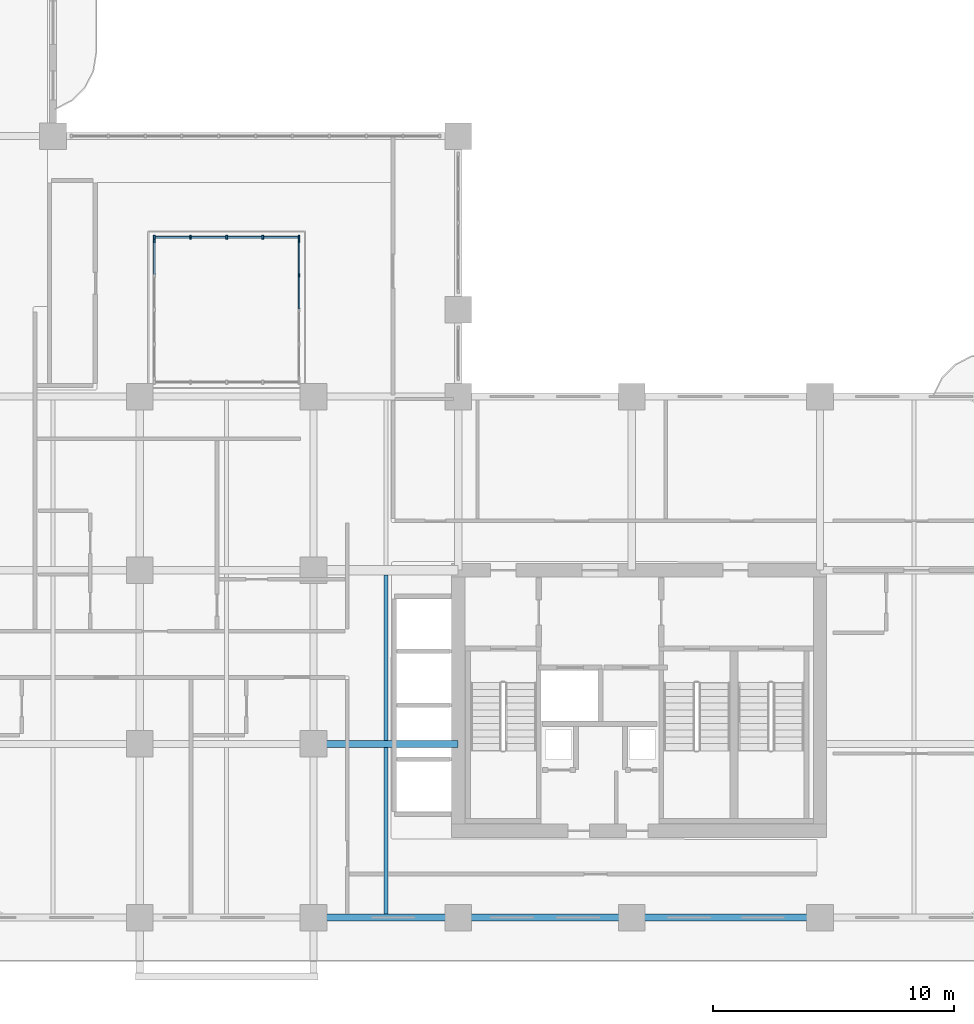
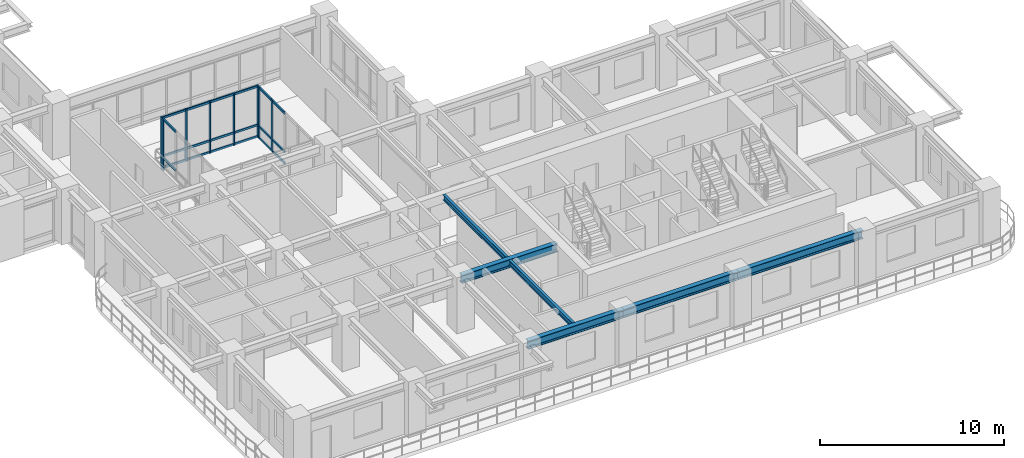
# One storey, part 3 of 22: 28 members, 6 beams, 3 elements without a shape of their own.
"""IFC4 building model written with IfcOpenShell, lengths in metres."""

import ifcopenshell
import ifcopenshell.guid

model = None  # the IFC model being written
_history = None  # IfcOwnerHistory: only IFC2X3 demands one
_inside = {}  # id of a spatial element -> (the spatial element, [elements in it])
_under = {}  # id of a project, library or spatial element -> (it, [spatial elements below it])
_declared = {}  # id of a project -> (the project, [libraries it declares])
_typed = {}  # id of a type object -> (the type object, [elements of that type])
_made_of = {}  # id of a material, layer set ... -> (it, [elements and type objects made of it])


def new_model(schema):
    """Start an empty IFC model of exactly this schema.

    Asked for "IFC4X3", IfcOpenShell would pick the latest addendum, in which some entities
    have other attributes; the version numbers below select the first issue.
    IFC2X3 requires an IfcOwnerHistory on every rooted entity: one is made here for all.
    """
    global model, _history
    if schema == "IFC4X3":
        model = ifcopenshell.file(schema_version=(4, 3, 0, 0))
    else:
        model = ifcopenshell.file(schema=schema)
    _inside.clear()
    _under.clear()
    _declared.clear()
    _typed.clear()
    _made_of.clear()
    _history = None
    if model.schema == "IFC2X3":
        org = make("IfcOrganization", Name="unknown")
        user = make(
            "IfcPersonAndOrganization",
            ThePerson=make("IfcPerson", FamilyName="unknown"),
            TheOrganization=org,
        )
        app = make(
            "IfcApplication",
            ApplicationDeveloper=org,
            Version="unknown",
            ApplicationFullName="unknown",
            ApplicationIdentifier="unknown",
        )
        _history = make(
            "IfcOwnerHistory",
            OwningUser=user,
            OwningApplication=app,
            ChangeAction="ADDED",
            CreationDate=0,
        )
    return model


def make(cls, **values):
    """One entity of the class cls with the attributes given. An attribute that is None is left unset."""
    return model.create_entity(
        cls, **{name: value for name, value in values.items() if value is not None}
    )


def rooted(cls, **values):
    """An entity with a GlobalId (a new one), such as an element, a storey or a relation."""
    return make(cls, GlobalId=ifcopenshell.guid.new(), OwnerHistory=_history, **values)


def si_unit(unit_type, name, prefix=None):
    """IfcSIUnit, for example si_unit("LENGTHUNIT", "METRE", prefix="MILLI")."""
    return make("IfcSIUnit", UnitType=unit_type, Prefix=prefix, Name=name)


def derived_unit(unit_type, elements):
    """IfcDerivedUnit: a product of units, each with its exponent."""
    return make(
        "IfcDerivedUnit",
        Elements=[
            make("IfcDerivedUnitElement", Unit=unit, Exponent=power)
            for unit, power in elements
        ],
        UnitType=unit_type,
    )


def assignment(units):
    """IfcUnitAssignment: the units of a project."""
    return None if units is None else make("IfcUnitAssignment", Units=units)


def point(xyz):
    """IfcCartesianPoint."""
    return None if xyz is None else make("IfcCartesianPoint", Coordinates=xyz)


def direction(xyz):
    """IfcDirection."""
    return None if xyz is None else make("IfcDirection", DirectionRatios=xyz)


def frame(location, z_axis=None, x_axis=None):
    """IfcAxis2Placement3D, a coordinate frame: its origin and axes. An axis left out is left unset."""
    return make(
        "IfcAxis2Placement3D",
        Location=point(location),
        Axis=direction(z_axis),
        RefDirection=direction(x_axis),
    )


def frame_2d(location, x_axis=None):
    """IfcAxis2Placement2D, a coordinate frame in the plane: its origin and x axis."""
    return make(
        "IfcAxis2Placement2D", Location=point(location), RefDirection=direction(x_axis)
    )


def origin():
    """The frame at (0, 0, 0) with its axes left unset."""
    return frame((0.0, 0.0, 0.0))


def origin_2d():
    """The frame at (0, 0) in the plane with its x axis left unset."""
    return frame_2d((0.0, 0.0))


def place(relative_to, where):
    """IfcLocalPlacement: puts the frame where relative to a parent placement (None: the world)."""
    return make(
        "IfcLocalPlacement", PlacementRelTo=relative_to, RelativePlacement=where
    )


def context(
    kind, dimensions, precision=None, world=None, true_north=None, identifier=None
):
    """IfcGeometricRepresentationContext, for example the 3D "Model" context."""
    return make(
        "IfcGeometricRepresentationContext",
        ContextIdentifier=identifier,
        ContextType=kind,
        CoordinateSpaceDimension=dimensions,
        Precision=precision,
        WorldCoordinateSystem=world,
        TrueNorth=true_north,
    )


def subcontext(parent, identifier, kind, view, scale=None):
    """IfcGeometricRepresentationSubContext, for example "Body" below "Model"."""
    return make(
        "IfcGeometricRepresentationSubContext",
        ContextIdentifier=identifier,
        ContextType=kind,
        ParentContext=parent,
        TargetScale=scale,
        TargetView=view,
    )


def project(units=None, contexts=None):
    """IfcProject with its units and contexts."""
    return rooted(
        "IfcProject",
        Name="project",
        RepresentationContexts=contexts,
        UnitsInContext=assignment(units),
    )


def spatial(cls, under=None, at=None, **own):
    """A site, building, storey or space (cls), placed at a placement, below another one or the project."""
    s = rooted(cls, ObjectPlacement=at, **own)
    if under is not None:
        _under.setdefault(under.id(), (under, []))[1].append(s)
    return s


def profile(cls, at=None, kind="AREA", **sizes):
    """A parametric profile (cls). Its sizes go by their IFC names, for example OverallWidth=200.0."""
    return make(cls, ProfileType=kind, Position=at, **sizes)


def rectangle(**sizes):
    """IfcRectangleProfileDef."""
    return profile("IfcRectangleProfileDef", **sizes)


def i_section(**sizes):
    """IfcIShapeProfileDef."""
    return profile("IfcIShapeProfileDef", **sizes)


def extrude(swept, where, along, depth):
    """IfcExtrudedAreaSolid: the profile swept, set in the frame where, extruded along a direction by depth."""
    return make(
        "IfcExtrudedAreaSolid",
        SweptArea=swept,
        Position=where,
        ExtrudedDirection=direction(along),
        Depth=depth,
    )


def shape(context_of_items, identifier, shape_type, items):
    """IfcShapeRepresentation: the items that make up one representation, for example the "Body"."""
    return make(
        "IfcShapeRepresentation",
        ContextOfItems=context_of_items,
        RepresentationIdentifier=identifier,
        RepresentationType=shape_type,
        Items=items,
    )


def source(mapping_origin, context_of_items, identifier, shape_type, items):
    """IfcRepresentationMap: a shape defined once, which mapped items show again and again."""
    return make(
        "IfcRepresentationMap",
        MappingOrigin=mapping_origin,
        MappedRepresentation=shape(context_of_items, identifier, shape_type, items),
    )


def transform(
    local_origin,
    x_axis=None,
    y_axis=None,
    z_axis=None,
    scale=None,
    scale2=None,
    scale3=None,
    uniform=True,
):
    """IfcCartesianTransformationOperator3D, or its non-uniform kind. x_axis, y_axis, z_axis: its Axis1, 2, 3."""
    if uniform:
        return make(
            "IfcCartesianTransformationOperator3D",
            Axis1=direction(x_axis),
            Axis2=direction(y_axis),
            LocalOrigin=point(local_origin),
            Scale=scale,
            Axis3=direction(z_axis),
        )
    return make(
        "IfcCartesianTransformationOperator3DnonUniform",
        Axis1=direction(x_axis),
        Axis2=direction(y_axis),
        LocalOrigin=point(local_origin),
        Scale=scale,
        Axis3=direction(z_axis),
        Scale2=scale2,
        Scale3=scale3,
    )


def mapped(mapping_source, mapping_target):
    """IfcMappedItem: shows the shape of a source again, moved by a transform."""
    return make(
        "IfcMappedItem", MappingSource=mapping_source, MappingTarget=mapping_target
    )


def material(Name=None, Category=None):
    """IfcMaterial."""
    return make("IfcMaterial", Name=Name, Category=Category)


def layer(
    of_material, thickness, ventilated=None, Name=None, Category=None, Priority=None
):
    """IfcMaterialLayer: one layer of a wall or slab, of a material (None: an air gap)."""
    return make(
        "IfcMaterialLayer",
        Material=of_material,
        LayerThickness=thickness,
        IsVentilated=ventilated,
        Name=Name,
        Category=Category,
        Priority=Priority,
    )


def layer_set(layers, Name=None):
    """IfcMaterialLayerSet."""
    return make("IfcMaterialLayerSet", MaterialLayers=layers, LayerSetName=Name)


def material_profile(
    of_material, cross_section, Name=None, Category=None, Priority=None
):
    """IfcMaterialProfile: a cross section and its material."""
    return make(
        "IfcMaterialProfile",
        Name=Name,
        Material=of_material,
        Profile=cross_section,
        Priority=Priority,
        Category=Category,
    )


def profile_set(profiles, Name=None, composite=None):
    """IfcMaterialProfileSet."""
    return make(
        "IfcMaterialProfileSet",
        Name=Name,
        MaterialProfiles=profiles,
        CompositeProfile=composite,
    )


def made_of(thing, what):
    """Note that an element or type object is made of a material, layer set ...; save() writes the relation."""
    if what is not None:
        _made_of.setdefault(what.id(), (what, []))[1].append(thing)
    return thing


def type_object(cls, material=None, **own):
    """A type object (cls), such as IfcWallType, which elements share."""
    return made_of(rooted(cls, **own), material)


def type_shapes(of_type, sources):
    """Give a type object the sources (RepresentationMaps) that its elements show as mapped items."""
    of_type.RepresentationMaps = sources


def element(
    cls,
    number,
    at=None,
    inside=None,
    cuts=None,
    type_object=None,
    material=None,
    context=None,
    identifier="Body",
    shape_type=None,
    held_by="IfcProductDefinitionShape",
    body=None,
    shapes=None,
    **own,
):
    """One element of the class cls, such as IfcWall. Its Tag is "e" and its number.

    at: its placement. inside: the storey or other place that contains it. cuts: it is an
    opening in that element (IfcRelVoidsElement). A single representation is given by context,
    identifier, shape_type and body (its items); several are given by shapes. held_by: the class
    of the entity that holds the representations. save() writes the other relations.
    """
    e = rooted(cls, Tag="e%d" % number, ObjectPlacement=at, **own)
    if body is not None:
        shapes = [shape(context, identifier, shape_type, body)]
    if shapes is not None:
        e.Representation = make(held_by, Representations=shapes)
    if inside is not None:
        _inside.setdefault(inside.id(), (inside, []))[1].append(e)
    if cuts is not None:
        rooted(
            "IfcRelVoidsElement", RelatingBuildingElement=cuts, RelatedOpeningElement=e
        )
    if type_object is not None:
        _typed.setdefault(type_object.id(), (type_object, []))[1].append(e)
    return made_of(e, material)


def aggregate(whole, parts):
    """IfcRelAggregates: a whole, such as a stair, and the parts it consists of."""
    return rooted("IfcRelAggregates", RelatingObject=whole, RelatedObjects=parts)


def save(model, path):
    """Write the relations noted so far, then the file.

    IfcRelAggregates (storeys below a building ...), IfcRelContainedInSpatialStructure (elements
    in a storey), IfcRelDefinesByType, IfcRelAssociatesMaterial and IfcRelDeclares: one each for
    every whole, place, type object, material and project.
    """
    for whole, parts in _under.values():
        aggregate(whole, parts)
    for where, things in _inside.values():
        rooted(
            "IfcRelContainedInSpatialStructure",
            RelatedElements=things,
            RelatingStructure=where,
        )
    for kind, things in _typed.values():
        rooted("IfcRelDefinesByType", RelatedObjects=things, RelatingType=kind)
    for what, things in _made_of.values():
        rooted("IfcRelAssociatesMaterial", RelatedObjects=things, RelatingMaterial=what)
    for by, libraries in _declared.values():
        rooted("IfcRelDeclares", RelatingContext=by, RelatedDefinitions=libraries)
    model.write(path)


model = new_model("IFC4")

# Units and contexts
model_context = context("Model", 3, precision=1e-05, world=origin(), true_north=direction((0.0, 1.0)))
body_context = subcontext(model_context, "Body", "Model", "MODEL_VIEW")
ifc_project = project(units=[si_unit("LENGTHUNIT", "METRE"), si_unit("AREAUNIT", "SQUARE_METRE"), si_unit("VOLUMEUNIT", "CUBIC_METRE"), si_unit("PLANEANGLEUNIT", "RADIAN"), si_unit("MASSUNIT", "GRAM", prefix="KILO"), si_unit("THERMODYNAMICTEMPERATUREUNIT", "KELVIN"), si_unit("POWERUNIT", "WATT"), derived_unit("THERMALTRANSMITTANCEUNIT", [(si_unit("POWERUNIT", "WATT"), 1), (si_unit("AREAUNIT", "SQUARE_METRE"), -1), (si_unit("THERMODYNAMICTEMPERATUREUNIT", "KELVIN"), -1)])], contexts=[model_context])

# Site, building, storey
site_placement = place(None, origin())
site = spatial("IfcSite", under=ifc_project, at=site_placement, CompositionType="ELEMENT")
building_placement = place(site_placement, origin())
building = spatial("IfcBuilding", under=site, at=building_placement, Name="Zahravan Archway Hotel and Residences", CompositionType="ELEMENT")
storey_placement = place(building_placement, frame((0.0, 0.0, 87.89990234375)))
storey = spatial("IfcBuildingStorey", under=building, at=storey_placement, Name="L21", CompositionType="ELEMENT", Elevation=87.89990234375)

# Beams
ifc_material_1 = material(Name="Structural Steel S355JR", Category="steel")
ifc_material_profile_1 = material_profile(ifc_material_1, i_section(OverallWidth=0.300048828125, OverallDepth=0.550048828125, WebThickness=0.014892578125, FlangeThickness=0.029052734375, FilletRadius=0.027099609375, at=origin_2d()), Name="HEB 550", Category="steel")
ifc_profile_set_1 = profile_set([ifc_material_profile_1], Name="Structural Steel S355JR")
beam_type_1 = type_object("IfcBeamType", Name="BM-PRI-HEB550", PredefinedType="BEAM", material=ifc_profile_set_1)
shared_shape_1 = source(origin(), body_context, "Body", "SweptSolid", [
    extrude(i_section(OverallWidth=0.300048828125, OverallDepth=0.550048828125, WebThickness=0.014892578125, FlangeThickness=0.029052734375, FilletRadius=0.027099609375, at=origin_2d()), origin(), (0.0, 0.0, 1.0), 7.199951171875),
])
beam_1_placement = place(storey_placement, frame((34.800048828125, 0.0, 3.175048828125), z_axis=(1.0, 0.0, 0.0), x_axis=(0.0, 1.0, 0.0)))
element("IfcBeam", 1, at=beam_1_placement, inside=storey, type_object=beam_type_1, Name="L21 Primary Girder EW-04", PredefinedType="BEAM", context=body_context, shape_type="MappedRepresentation", body=[
    mapped(shared_shape_1, transform((0.0, 0.0, 0.0), scale=1.0)),
])
shared_shape_2 = source(origin(), body_context, "Body", "SweptSolid", [
    extrude(i_section(OverallWidth=0.300048828125, OverallDepth=0.550048828125, WebThickness=0.014892578125, FlangeThickness=0.029052734375, FilletRadius=0.027099609375, at=origin_2d()), origin(), (0.0, 0.0, 1.0), 6.0),
])
for number, where, z_axis, x_axis, name in (
    (2, (28.800048828125, 0.0, 3.175048828125), (1.0, 0.0, 0.0), (0.0, 1.0, 0.0), "L21 Primary Girder EW-03"),
    (3, (28.800048828125, 7.199951171875, 3.175048828125), (1.0, 0.0, 0.0), (0.0, 1.0, 0.0), "L21 Primary Girder EW-09"),
):
    element("IfcBeam", number, at=place(storey_placement, frame(where, z_axis=z_axis, x_axis=x_axis)), inside=storey, type_object=beam_type_1, Name=name, PredefinedType="BEAM", context=body_context, shape_type="MappedRepresentation", body=[
        mapped(shared_shape_2, transform((0.0, 0.0, 0.0), scale=1.0)),
    ])
shared_shape_3 = source(origin(), body_context, "Body", "SweptSolid", [
    extrude(i_section(OverallWidth=0.300048828125, OverallDepth=0.550048828125, WebThickness=0.014892578125, FlangeThickness=0.029052734375, FilletRadius=0.027099609375, at=origin_2d()), origin(), (0.0, 0.0, 1.0), 7.800048828125),
])
beam_2_placement = place(storey_placement, frame((42.0, 0.0, 3.175048828125), z_axis=(1.0, 0.0, 0.0), x_axis=(0.0, 1.0, 0.0)))
element("IfcBeam", 4, at=beam_2_placement, inside=storey, type_object=beam_type_1, Name="L21 Primary Girder EW-05", PredefinedType="BEAM", context=body_context, shape_type="MappedRepresentation", body=[
    mapped(shared_shape_3, transform((0.0, 0.0, 0.0), scale=1.0)),
])
ifc_material_profile_2 = material_profile(ifc_material_1, i_section(OverallWidth=0.169921875, OverallDepth=0.360107421875, WebThickness=0.008056640625, FlangeThickness=0.0126953125, FilletRadius=0.01806640625, at=origin_2d()), Name="IPE 360", Category="steel")
ifc_profile_set_2 = profile_set([ifc_material_profile_2], Name="Structural Steel S355JR")
beam_type_2 = type_object("IfcBeamType", Name="BM-JST-IPE360", PredefinedType="JOIST", material=ifc_profile_set_2)
shared_shape_4 = source(origin(), body_context, "Body", "SweptSolid", [
    extrude(i_section(OverallWidth=0.169921875, OverallDepth=0.360107421875, WebThickness=0.008056640625, FlangeThickness=0.0126953125, FilletRadius=0.01806640625, at=origin_2d()), origin(), (0.0, 0.0, 1.0), 6.904052734375),
])
type_shapes(beam_type_2, [shared_shape_4])
beam_3_placement = place(storey_placement, frame((31.800048828125, 0.14794921875, 3.27001953125), z_axis=(0.0, 1.0, 0.0), x_axis=(-1.0, 0.0, 0.0)))
element("IfcBeam", 5, at=beam_3_placement, inside=storey, type_object=beam_type_2, Name="L21 Composite Floor Joist 03", PredefinedType="JOIST", context=body_context, shape_type="MappedRepresentation", body=[
    mapped(shared_shape_4, transform((0.0, 0.0, 0.0), scale=1.0)),
])
shared_shape_5 = source(origin(), body_context, "Body", "SweptSolid", [
    extrude(i_section(OverallWidth=0.169921875, OverallDepth=0.360107421875, WebThickness=0.008056640625, FlangeThickness=0.0126953125, FilletRadius=0.01806640625, at=origin_2d()), origin(), (0.0, 0.0, 1.0), 6.85400390625),
])
beam_4_placement = place(storey_placement, frame((31.800048828125, 7.347900390625, 3.27001953125), z_axis=(0.0, 1.0, 0.0), x_axis=(-1.0, 0.0, 0.0)))
element("IfcBeam", 6, at=beam_4_placement, inside=storey, type_object=beam_type_2, Name="L21 Composite Floor Joist 07", PredefinedType="JOIST", context=body_context, shape_type="MappedRepresentation", body=[
    mapped(shared_shape_5, transform((0.0, 0.0, 0.0), scale=1.0)),
])

# Curtain wall, members
ifc_material_2 = material(Name="Bronze-Anodized Unitised Aluminium & Low-E Glass", Category="aluminium")
ifc_layer = layer(ifc_material_2, 0.179931640625, Name="Bronze-Anodized Unitised Aluminium & Low-E Glass", Category="aluminium")
ifc_layer_set = layer_set([ifc_layer], Name="Bronze-Anodized Unitised Aluminium & Low-E Glass")
curtain_wall_type = type_object("IfcCurtainWallType", Name="CW-ATR-GLAZ", PredefinedType="NOTDEFINED", material=ifc_layer_set)
curtain_wall_1_placement = place(storey_placement, origin())
curtain_wall_1 = element("IfcCurtainWall", 7, at=curtain_wall_1_placement, inside=storey, type_object=curtain_wall_type, Name="L21 Curtain Wall CW-ATR-L21-N-1", PredefinedType="NOTDEFINED")
ifc_material_3 = material(Name="Bronze-Anodized Extruded Aluminium", Category="aluminium")
ifc_material_profile_3 = material_profile(ifc_material_3, rectangle(XDim=0.080078125, YDim=0.139892578125, at=origin_2d()), Name="TRN 80x140", Category="aluminium")
ifc_profile_set_3 = profile_set([ifc_material_profile_3], Name="Bronze-Anodized Extruded Aluminium")
member_type_1 = type_object("IfcMemberType", Name="CWM-TRN-140", PredefinedType="USERDEFINED", material=ifc_profile_set_3)
shared_shape_6 = source(origin(), body_context, "Body", "SweptSolid", [
    extrude(rectangle(XDim=0.080078125, YDim=0.139892578125, at=origin_2d()), origin(), (0.0, 0.0, 1.0), 1.419921875),
])
member_1_placement = place(storey_placement, frame((22.239990234375, 28.199951171875, 0.070068359375), z_axis=(1.0, 0.0, 0.0), x_axis=(0.0, 1.0, 0.0)))
member_1 = element("IfcMember", 8, at=member_1_placement, type_object=member_type_1, Name="CW-ATR-L21-N-1 Transom 0-1", ObjectType="TRANSOM", PredefinedType="USERDEFINED", context=body_context, shape_type="MappedRepresentation", body=[
    mapped(shared_shape_6, transform((0.0, 0.0, 0.0), scale=1.0)),
])
member_2_placement = place(storey_placement, frame((22.239990234375, 28.199951171875, 0.828125), z_axis=(1.0, 0.0, 0.0), x_axis=(0.0, 1.0, 0.0)))
member_2 = element("IfcMember", 9, at=member_2_placement, type_object=member_type_1, Name="CW-ATR-L21-N-1 Transom 0-2", ObjectType="TRANSOM", PredefinedType="USERDEFINED", context=body_context, shape_type="MappedRepresentation", body=[
    mapped(shared_shape_6, transform((0.0, 0.0, 0.0), scale=1.0)),
])
member_3_placement = place(storey_placement, frame((22.239990234375, 28.199951171875, 3.380126953125), z_axis=(1.0, 0.0, 0.0), x_axis=(0.0, 1.0, 0.0)))
member_3 = element("IfcMember", 10, at=member_3_placement, type_object=member_type_1, Name="CW-ATR-L21-N-1 Transom 0-3", ObjectType="TRANSOM", PredefinedType="USERDEFINED", context=body_context, shape_type="MappedRepresentation", body=[
    mapped(shared_shape_6, transform((0.0, 0.0, 0.0), scale=1.0)),
])
member_4_placement = place(storey_placement, frame((23.739990234375, 28.199951171875, 0.070068359375), z_axis=(1.0, 0.0, 0.0), x_axis=(0.0, 1.0, 0.0)))
member_4 = element("IfcMember", 11, at=member_4_placement, type_object=member_type_1, Name="CW-ATR-L21-N-1 Transom 1-1", ObjectType="TRANSOM", PredefinedType="USERDEFINED", context=body_context, shape_type="MappedRepresentation", body=[
    mapped(shared_shape_6, transform((0.0, 0.0, 0.0), scale=1.0)),
])
member_5_placement = place(storey_placement, frame((23.739990234375, 28.199951171875, 0.828125), z_axis=(1.0, 0.0, 0.0), x_axis=(0.0, 1.0, 0.0)))
member_5 = element("IfcMember", 12, at=member_5_placement, type_object=member_type_1, Name="CW-ATR-L21-N-1 Transom 1-2", ObjectType="TRANSOM", PredefinedType="USERDEFINED", context=body_context, shape_type="MappedRepresentation", body=[
    mapped(shared_shape_6, transform((0.0, 0.0, 0.0), scale=1.0)),
])
member_6_placement = place(storey_placement, frame((23.739990234375, 28.199951171875, 3.380126953125), z_axis=(1.0, 0.0, 0.0), x_axis=(0.0, 1.0, 0.0)))
member_6 = element("IfcMember", 13, at=member_6_placement, type_object=member_type_1, Name="CW-ATR-L21-N-1 Transom 1-3", ObjectType="TRANSOM", PredefinedType="USERDEFINED", context=body_context, shape_type="MappedRepresentation", body=[
    mapped(shared_shape_6, transform((0.0, 0.0, 0.0), scale=1.0)),
])
member_7_placement = place(storey_placement, frame((25.239990234375, 28.199951171875, 0.070068359375), z_axis=(1.0, 0.0, 0.0), x_axis=(0.0, 1.0, 0.0)))
member_7 = element("IfcMember", 14, at=member_7_placement, type_object=member_type_1, Name="CW-ATR-L21-N-1 Transom 2-1", ObjectType="TRANSOM", PredefinedType="USERDEFINED", context=body_context, shape_type="MappedRepresentation", body=[
    mapped(shared_shape_6, transform((0.0, 0.0, 0.0), scale=1.0)),
])
member_8_placement = place(storey_placement, frame((25.239990234375, 28.199951171875, 0.828125), z_axis=(1.0, 0.0, 0.0), x_axis=(0.0, 1.0, 0.0)))
member_8 = element("IfcMember", 15, at=member_8_placement, type_object=member_type_1, Name="CW-ATR-L21-N-1 Transom 2-2", ObjectType="TRANSOM", PredefinedType="USERDEFINED", context=body_context, shape_type="MappedRepresentation", body=[
    mapped(shared_shape_6, transform((0.0, 0.0, 0.0), scale=1.0)),
])
member_9_placement = place(storey_placement, frame((25.239990234375, 28.199951171875, 3.380126953125), z_axis=(1.0, 0.0, 0.0), x_axis=(0.0, 1.0, 0.0)))
member_9 = element("IfcMember", 16, at=member_9_placement, type_object=member_type_1, Name="CW-ATR-L21-N-1 Transom 2-3", ObjectType="TRANSOM", PredefinedType="USERDEFINED", context=body_context, shape_type="MappedRepresentation", body=[
    mapped(shared_shape_6, transform((0.0, 0.0, 0.0), scale=1.0)),
])
member_10_placement = place(storey_placement, frame((26.739990234375, 28.199951171875, 0.070068359375), z_axis=(1.0, 0.0, 0.0), x_axis=(0.0, 1.0, 0.0)))
member_10 = element("IfcMember", 17, at=member_10_placement, type_object=member_type_1, Name="CW-ATR-L21-N-1 Transom 3-1", ObjectType="TRANSOM", PredefinedType="USERDEFINED", context=body_context, shape_type="MappedRepresentation", body=[
    mapped(shared_shape_6, transform((0.0, 0.0, 0.0), scale=1.0)),
])
member_11_placement = place(storey_placement, frame((26.739990234375, 28.199951171875, 0.828125), z_axis=(1.0, 0.0, 0.0), x_axis=(0.0, 1.0, 0.0)))
member_11 = element("IfcMember", 18, at=member_11_placement, type_object=member_type_1, Name="CW-ATR-L21-N-1 Transom 3-2", ObjectType="TRANSOM", PredefinedType="USERDEFINED", context=body_context, shape_type="MappedRepresentation", body=[
    mapped(shared_shape_6, transform((0.0, 0.0, 0.0), scale=1.0)),
])
member_12_placement = place(storey_placement, frame((26.739990234375, 28.199951171875, 3.380126953125), z_axis=(1.0, 0.0, 0.0), x_axis=(0.0, 1.0, 0.0)))
member_12 = element("IfcMember", 19, at=member_12_placement, type_object=member_type_1, Name="CW-ATR-L21-N-1 Transom 3-3", ObjectType="TRANSOM", PredefinedType="USERDEFINED", context=body_context, shape_type="MappedRepresentation", body=[
    mapped(shared_shape_6, transform((0.0, 0.0, 0.0), scale=1.0)),
])

curtain_wall_2_placement = place(storey_placement, origin())
curtain_wall_2 = element("IfcCurtainWall", 20, at=curtain_wall_2_placement, inside=storey, type_object=curtain_wall_type, Name="L21 Curtain Wall CW-ATR-L21-W-1", PredefinedType="NOTDEFINED")
shared_shape_7 = source(origin(), body_context, "Body", "SweptSolid", [
    extrude(rectangle(XDim=0.080078125, YDim=0.139892578125, at=origin_2d()), origin(), (0.0, 0.0, 1.0), 1.344970703125),
])
member_13_placement = place(storey_placement, frame((22.199951171875, 26.6650390625, 0.828125), z_axis=(0.0, 1.0, 0.0), x_axis=(-1.0, 0.0, 0.0)))
member_13 = element("IfcMember", 21, at=member_13_placement, type_object=member_type_1, Name="CW-ATR-L21-W-1 Transom 3-2", ObjectType="TRANSOM", PredefinedType="USERDEFINED", context=body_context, shape_type="MappedRepresentation", body=[
    mapped(shared_shape_7, transform((0.0, 0.0, 0.0), scale=1.0)),
])
member_14_placement = place(storey_placement, frame((22.199951171875, 26.6650390625, 3.380126953125), z_axis=(0.0, 1.0, 0.0), x_axis=(-1.0, 0.0, 0.0)))
member_14 = element("IfcMember", 22, at=member_14_placement, type_object=member_type_1, Name="CW-ATR-L21-W-1 Transom 3-3", ObjectType="TRANSOM", PredefinedType="USERDEFINED", context=body_context, shape_type="MappedRepresentation", body=[
    mapped(shared_shape_7, transform((0.0, 0.0, 0.0), scale=1.0)),
])

curtain_wall_3_placement = place(storey_placement, origin())
curtain_wall_3 = element("IfcCurtainWall", 23, at=curtain_wall_3_placement, inside=storey, type_object=curtain_wall_type, Name="L21 Curtain Wall CW-ATR-L21-E-1", PredefinedType="NOTDEFINED")
member_15_placement = place(storey_placement, frame((28.199951171875, 25.239990234375, 0.070068359375), z_axis=(0.0, 1.0, 0.0), x_axis=(-1.0, 0.0, 0.0)))
member_15 = element("IfcMember", 24, at=member_15_placement, type_object=member_type_1, Name="CW-ATR-L21-E-1 Transom 2-1", ObjectType="TRANSOM", PredefinedType="USERDEFINED", context=body_context, shape_type="MappedRepresentation", body=[
    mapped(shared_shape_7, transform((0.0, 0.0, 0.0), scale=1.0)),
])
member_16_placement = place(storey_placement, frame((28.199951171875, 25.239990234375, 0.828125), z_axis=(0.0, 1.0, 0.0), x_axis=(-1.0, 0.0, 0.0)))
member_16 = element("IfcMember", 25, at=member_16_placement, type_object=member_type_1, Name="CW-ATR-L21-E-1 Transom 2-2", ObjectType="TRANSOM", PredefinedType="USERDEFINED", context=body_context, shape_type="MappedRepresentation", body=[
    mapped(shared_shape_7, transform((0.0, 0.0, 0.0), scale=1.0)),
])
member_17_placement = place(storey_placement, frame((28.199951171875, 25.239990234375, 3.380126953125), z_axis=(0.0, 1.0, 0.0), x_axis=(-1.0, 0.0, 0.0)))
member_17 = element("IfcMember", 26, at=member_17_placement, type_object=member_type_1, Name="CW-ATR-L21-E-1 Transom 2-3", ObjectType="TRANSOM", PredefinedType="USERDEFINED", context=body_context, shape_type="MappedRepresentation", body=[
    mapped(shared_shape_7, transform((0.0, 0.0, 0.0), scale=1.0)),
])
member_18_placement = place(storey_placement, frame((28.199951171875, 26.6650390625, 0.070068359375), z_axis=(0.0, 1.0, 0.0), x_axis=(-1.0, 0.0, 0.0)))
member_18 = element("IfcMember", 27, at=member_18_placement, type_object=member_type_1, Name="CW-ATR-L21-E-1 Transom 3-1", ObjectType="TRANSOM", PredefinedType="USERDEFINED", context=body_context, shape_type="MappedRepresentation", body=[
    mapped(shared_shape_7, transform((0.0, 0.0, 0.0), scale=1.0)),
])
member_19_placement = place(storey_placement, frame((28.199951171875, 26.6650390625, 0.828125), z_axis=(0.0, 1.0, 0.0), x_axis=(-1.0, 0.0, 0.0)))
member_19 = element("IfcMember", 28, at=member_19_placement, type_object=member_type_1, Name="CW-ATR-L21-E-1 Transom 3-2", ObjectType="TRANSOM", PredefinedType="USERDEFINED", context=body_context, shape_type="MappedRepresentation", body=[
    mapped(shared_shape_7, transform((0.0, 0.0, 0.0), scale=1.0)),
])
member_20_placement = place(storey_placement, frame((28.199951171875, 26.6650390625, 3.380126953125), z_axis=(0.0, 1.0, 0.0), x_axis=(-1.0, 0.0, 0.0)))
member_20 = element("IfcMember", 29, at=member_20_placement, type_object=member_type_1, Name="CW-ATR-L21-E-1 Transom 3-3", ObjectType="TRANSOM", PredefinedType="USERDEFINED", context=body_context, shape_type="MappedRepresentation", body=[
    mapped(shared_shape_7, transform((0.0, 0.0, 0.0), scale=1.0)),
])

# Member
ifc_material_profile_4 = material_profile(ifc_material_3, rectangle(XDim=0.080078125, YDim=0.159912109375, at=origin_2d()), Name="MUL 80x160", Category="aluminium")
ifc_profile_set_4 = profile_set([ifc_material_profile_4], Name="Bronze-Anodized Extruded Aluminium")
member_type_2 = type_object("IfcMemberType", Name="CWM-MUL-160", PredefinedType="MULLION", material=ifc_profile_set_4)
shared_shape_8 = source(origin(), body_context, "Body", "SweptSolid", [
    extrude(rectangle(XDim=0.080078125, YDim=0.159912109375, at=origin_2d()), origin(), (0.0, 0.0, 1.0), 3.4501953125),
])
member_21_placement = place(storey_placement, frame((22.199951171875, 28.199951171875, 0.0), z_axis=(0.0, 0.0, 1.0), x_axis=(1.0, 0.0, 0.0)))
member_21 = element("IfcMember", 30, at=member_21_placement, type_object=member_type_2, Name="CW-ATR-L21-N-1 Mullion 0", PredefinedType="MULLION", context=body_context, shape_type="MappedRepresentation", body=[
    mapped(shared_shape_8, transform((0.0, 0.0, 0.0), scale=1.0)),
])

member_22_placement = place(storey_placement, frame((23.699951171875, 28.199951171875, 0.0), z_axis=(0.0, 0.0, 1.0), x_axis=(1.0, 0.0, 0.0)))
member_22 = element("IfcMember", 31, at=member_22_placement, type_object=member_type_2, Name="CW-ATR-L21-N-1 Mullion 1", PredefinedType="MULLION", context=body_context, shape_type="MappedRepresentation", body=[
    mapped(shared_shape_8, transform((0.0, 0.0, 0.0), scale=1.0)),
])

member_23_placement = place(storey_placement, frame((25.199951171875, 28.199951171875, 0.0), z_axis=(0.0, 0.0, 1.0), x_axis=(1.0, 0.0, 0.0)))
member_23 = element("IfcMember", 32, at=member_23_placement, type_object=member_type_2, Name="CW-ATR-L21-N-1 Mullion 2", PredefinedType="MULLION", context=body_context, shape_type="MappedRepresentation", body=[
    mapped(shared_shape_8, transform((0.0, 0.0, 0.0), scale=1.0)),
])

member_24_placement = place(storey_placement, frame((26.699951171875, 28.199951171875, 0.0), z_axis=(0.0, 0.0, 1.0), x_axis=(1.0, 0.0, 0.0)))
member_24 = element("IfcMember", 33, at=member_24_placement, type_object=member_type_2, Name="CW-ATR-L21-N-1 Mullion 3", PredefinedType="MULLION", context=body_context, shape_type="MappedRepresentation", body=[
    mapped(shared_shape_8, transform((0.0, 0.0, 0.0), scale=1.0)),
])

member_25_placement = place(storey_placement, frame((28.199951171875, 28.199951171875, 0.0), z_axis=(0.0, 0.0, 1.0), x_axis=(1.0, 0.0, 0.0)))
member_25 = element("IfcMember", 34, at=member_25_placement, type_object=member_type_2, Name="CW-ATR-L21-N-1 Mullion 4", PredefinedType="MULLION", context=body_context, shape_type="MappedRepresentation", body=[
    mapped(shared_shape_8, transform((0.0, 0.0, 0.0), scale=1.0)),
])

aggregate(curtain_wall_1, [member_21, member_22, member_23, member_24, member_25, member_1, member_2, member_3, member_4, member_5, member_6, member_7, member_8, member_9, member_10, member_11, member_12])

member_26_placement = place(storey_placement, frame((22.199951171875, 28.050048828125, 0.0), z_axis=(0.0, 0.0, 1.0), x_axis=(1.0, 0.0, 0.0)))
member_26 = element("IfcMember", 35, at=member_26_placement, type_object=member_type_2, Name="CW-ATR-L21-W-1 Mullion 4", PredefinedType="MULLION", context=body_context, shape_type="MappedRepresentation", body=[
    mapped(shared_shape_8, transform((0.0, 0.0, 0.0), scale=1.0)),
])

aggregate(curtain_wall_2, [member_26, member_13, member_14])

member_27_placement = place(storey_placement, frame((28.199951171875, 26.625, 0.0), z_axis=(0.0, 0.0, 1.0), x_axis=(1.0, 0.0, 0.0)))
member_27 = element("IfcMember", 36, at=member_27_placement, type_object=member_type_2, Name="CW-ATR-L21-E-1 Mullion 3", PredefinedType="MULLION", context=body_context, shape_type="MappedRepresentation", body=[
    mapped(shared_shape_8, transform((0.0, 0.0, 0.0), scale=1.0)),
])

member_28_placement = place(storey_placement, frame((28.199951171875, 28.050048828125, 0.0), z_axis=(0.0, 0.0, 1.0), x_axis=(1.0, 0.0, 0.0)))
member_28 = element("IfcMember", 37, at=member_28_placement, type_object=member_type_2, Name="CW-ATR-L21-E-1 Mullion 4", PredefinedType="MULLION", context=body_context, shape_type="MappedRepresentation", body=[
    mapped(shared_shape_8, transform((0.0, 0.0, 0.0), scale=1.0)),
])

aggregate(curtain_wall_3, [member_27, member_28, member_15, member_16, member_17, member_18, member_19, member_20])

save(model, "model.ifc")
